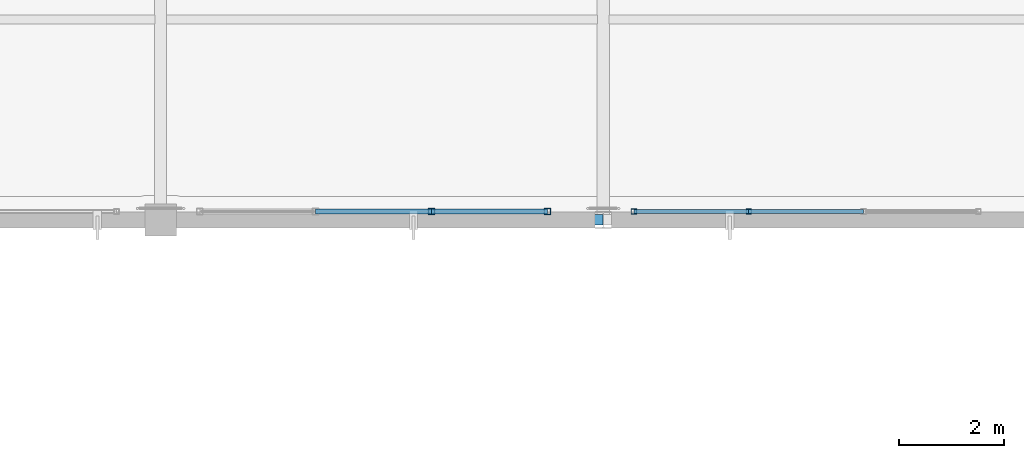
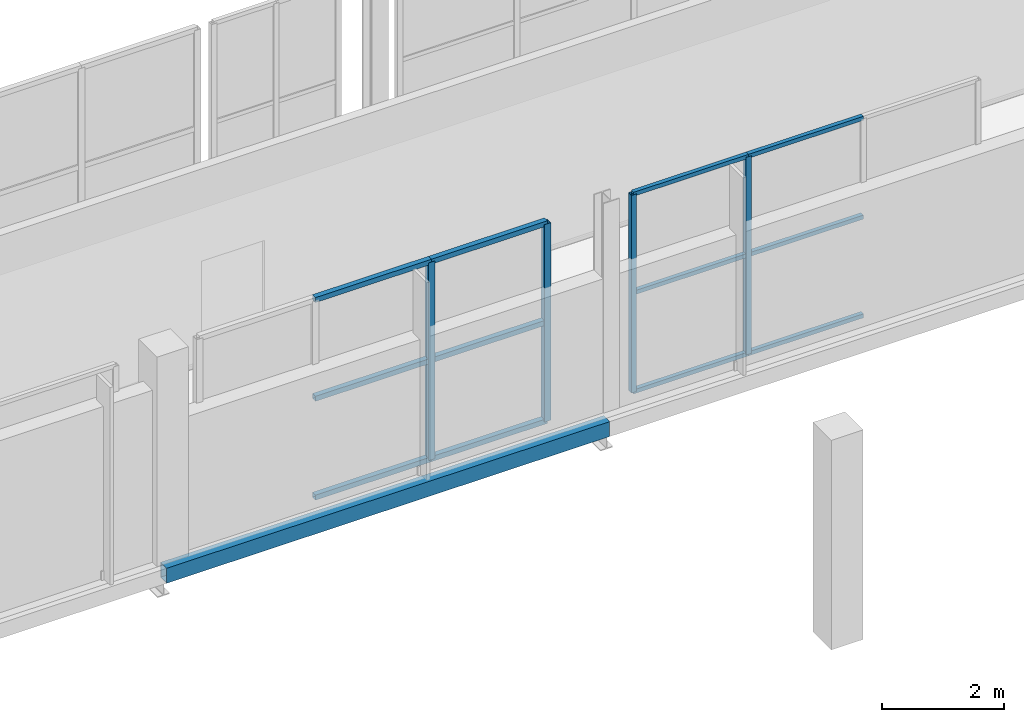
# One storey, part 47 of 151: 16 members, 1 beam, 2 elements without a shape of their own.
"""IFC4 building model written with IfcOpenShell, lengths in metres."""

from ifc_helpers import new_model, si_unit, direction, frame, origin, origin_2d, place, context, subcontext, project, spatial, hollow_rectangle, extrude, material, material_profile, profile_set, type_object, element, aggregate, save


model = new_model("IFC4")

# Units and contexts
model_context = context("Model", 3, precision=1e-05, world=origin(), true_north=direction((0.0, 1.0)))
body_context = subcontext(model_context, "Body", "Model", "MODEL_VIEW")
ifc_project = project(units=[si_unit("LENGTHUNIT", "METRE"), si_unit("AREAUNIT", "SQUARE_METRE"), si_unit("VOLUMEUNIT", "CUBIC_METRE"), si_unit("PLANEANGLEUNIT", "RADIAN"), si_unit("MASSUNIT", "GRAM", prefix="KILO")], contexts=[model_context])

# Site, building, storey
site_placement = place(None, origin())
site = spatial("IfcSite", under=ifc_project, at=site_placement, CompositionType="ELEMENT")
building_placement = place(site_placement, origin())
building = spatial("IfcBuilding", under=site, at=building_placement, Name="Zuvorla Pavilion Media Centre", CompositionType="ELEMENT")
storey_placement = place(building_placement, frame((0.0, 0.0, 13.800048828125)))
storey = spatial("IfcBuildingStorey", under=building, at=storey_placement, Name="L03", CompositionType="ELEMENT", Elevation=13.800048828125)

# Beam
ifc_material_1 = material(Name="Steel S355", Category="steel")
ifc_material_profile_1 = material_profile(ifc_material_1, hollow_rectangle(XDim=0.199951171875, YDim=0.300048828125, WallThickness=0.012451171875, at=origin_2d()), Name="RHS 300x200x12.5")
ifc_profile_set_1 = profile_set([ifc_material_profile_1], Name="Steel S355")
beam_type = type_object("IfcBeamType", Name="BM-SP-RHS300", PredefinedType="SPANDREL", material=ifc_profile_set_1)
beam_placement = place(storey_placement, frame((117.199951171875, 44.0, -0.407958984375), z_axis=(1.0, 0.0, 0.0), x_axis=(0.0, 1.0, 0.0)))
element("IfcBeam", 1, at=beam_placement, inside=storey, type_object=beam_type, Name="L03 spandrel SP01 1086", PredefinedType="SPANDREL", context=body_context, shape_type="SweptSolid", body=[
    extrude(hollow_rectangle(XDim=0.199951171875, YDim=0.300048828125, WallThickness=0.012451171875, at=origin_2d()), origin(), (0.0, 0.0, 1.0), 8.400146484375),
])

# Curtain wall, members
ifc_material_2 = material(Name="Unitised anodised aluminium and solar glass curtain wall", Category="aluminium")
curtain_wall_type_1 = type_object("IfcCurtainWallType", Name="CW-SYS-63", PredefinedType="USERDEFINED", material=ifc_material_2)
curtain_wall_1_placement = place(storey_placement, origin())
curtain_wall_1 = element("IfcCurtainWall", 2, at=curtain_wall_1_placement, inside=storey, type_object=curtain_wall_type_1, Name="L03 curtain wall CW63 144", ObjectType="CURTAIN WALL", PredefinedType="USERDEFINED")
ifc_material_3 = material(Name="Anodised aluminium 6063-T6", Category="aluminium")
ifc_material_profile_2 = material_profile(ifc_material_3, hollow_rectangle(XDim=0.10009765625, YDim=0.10009765625, WallThickness=0.00439453125, at=origin_2d()), Name="ALU MULL 100x100")
ifc_profile_set_2 = profile_set([ifc_material_profile_2], Name="Anodised aluminium 6063-T6")
member_type_1 = type_object("IfcMemberType", Name="CW-MULL-100", PredefinedType="MULLION", material=ifc_profile_set_2)
member_1_placement = place(storey_placement, frame((126.181884765625, 44.159912109375, 0.0), z_axis=(0.0, 0.0, 1.0), x_axis=(1.0, 0.0, 0.0)))
member_1 = element("IfcMember", 3, at=member_1_placement, type_object=member_type_1, Name="CW63 mullion 1", PredefinedType="MULLION", context=body_context, shape_type="SweptSolid", body=[
    extrude(hollow_rectangle(XDim=0.10009765625, YDim=0.10009765625, WallThickness=0.00439453125, at=origin_2d()), origin(), (0.0, 0.0, 1.0), 3.9599609375),
])
member_2_placement = place(storey_placement, frame((128.359619140625, 44.159912109375, 0.0), z_axis=(0.0, 0.0, 1.0), x_axis=(1.0, 0.0, 0.0)))
member_2 = element("IfcMember", 4, at=member_2_placement, type_object=member_type_1, Name="CW63 mullion 2", PredefinedType="MULLION", context=body_context, shape_type="SweptSolid", body=[
    extrude(hollow_rectangle(XDim=0.10009765625, YDim=0.10009765625, WallThickness=0.00439453125, at=origin_2d()), origin(), (0.0, 0.0, 1.0), 3.9599609375),
])

curtain_wall_type_2 = type_object("IfcCurtainWallType", Name="CW-SYS-73", PredefinedType="USERDEFINED", material=ifc_material_2)
curtain_wall_2_placement = place(storey_placement, origin())
curtain_wall_2 = element("IfcCurtainWall", 5, at=curtain_wall_2_placement, inside=storey, type_object=curtain_wall_type_2, Name="L03 curtain wall CW73 143", ObjectType="CURTAIN WALL", PredefinedType="USERDEFINED")
ifc_material_profile_3 = material_profile(ifc_material_3, hollow_rectangle(XDim=0.1201171875, YDim=0.1201171875, WallThickness=0.0048828125, at=origin_2d()), Name="ALU MULL 120x120")
ifc_profile_set_3 = profile_set([ifc_material_profile_3], Name="Anodised aluminium 6063-T6")
member_type_2 = type_object("IfcMemberType", Name="CW-MULL-120", PredefinedType="MULLION", material=ifc_profile_set_3)
member_3_placement = place(storey_placement, frame((122.341552734375, 44.159912109375, 0.0), z_axis=(0.0, 0.0, 1.0), x_axis=(1.0, 0.0, 0.0)))
member_3 = element("IfcMember", 6, at=member_3_placement, type_object=member_type_2, Name="CW73 mullion 3", PredefinedType="MULLION", context=body_context, shape_type="SweptSolid", body=[
    extrude(hollow_rectangle(XDim=0.1201171875, YDim=0.1201171875, WallThickness=0.0048828125, at=origin_2d()), origin(), (0.0, 0.0, 1.0), 3.9599609375),
])
member_4_placement = place(storey_placement, frame((124.5400390625, 44.159912109375, 0.0), z_axis=(0.0, 0.0, 1.0), x_axis=(1.0, 0.0, 0.0)))
member_4 = element("IfcMember", 7, at=member_4_placement, type_object=member_type_2, Name="CW73 mullion 4", PredefinedType="MULLION", context=body_context, shape_type="SweptSolid", body=[
    extrude(hollow_rectangle(XDim=0.1201171875, YDim=0.1201171875, WallThickness=0.0048828125, at=origin_2d()), origin(), (0.0, 0.0, 1.0), 3.9599609375),
])
ifc_material_profile_4 = material_profile(ifc_material_3, hollow_rectangle(XDim=0.10009765625, YDim=0.10009765625, WallThickness=0.00439453125, at=origin_2d()), Name="ALU TRAN 100x100")
ifc_profile_set_4 = profile_set([ifc_material_profile_4], Name="Anodised aluminium 6063-T6")
member_type_3 = type_object("IfcMemberType", Name="CW-TRAN-100", PredefinedType="USERDEFINED", material=ifc_profile_set_4)
member_5_placement = place(storey_placement, frame((120.142822265625, 44.159912109375, 0.0), z_axis=(1.0, 0.0, 0.0), x_axis=(0.0, 1.0, 0.0)))
member_5 = element("IfcMember", 8, at=member_5_placement, type_object=member_type_3, Name="CW73 transom 2.1", ObjectType="TRANSOM", PredefinedType="USERDEFINED", context=body_context, shape_type="SweptSolid", body=[
    extrude(hollow_rectangle(XDim=0.10009765625, YDim=0.10009765625, WallThickness=0.00439453125, at=origin_2d()), origin(), (0.0, 0.0, 1.0), 2.19873046875),
])
member_6_placement = place(storey_placement, frame((120.142822265625, 44.159912109375, 1.97998046875), z_axis=(1.0, 0.0, 0.0), x_axis=(0.0, 1.0, 0.0)))
member_6 = element("IfcMember", 9, at=member_6_placement, type_object=member_type_3, Name="CW73 transom 2.2", ObjectType="TRANSOM", PredefinedType="USERDEFINED", context=body_context, shape_type="SweptSolid", body=[
    extrude(hollow_rectangle(XDim=0.10009765625, YDim=0.10009765625, WallThickness=0.00439453125, at=origin_2d()), origin(), (0.0, 0.0, 1.0), 2.19873046875),
])
member_7_placement = place(storey_placement, frame((120.142822265625, 44.159912109375, 3.9599609375), z_axis=(1.0, 0.0, 0.0), x_axis=(0.0, 1.0, 0.0)))
member_7 = element("IfcMember", 10, at=member_7_placement, type_object=member_type_3, Name="CW73 transom 2.3", ObjectType="TRANSOM", PredefinedType="USERDEFINED", context=body_context, shape_type="SweptSolid", body=[
    extrude(hollow_rectangle(XDim=0.10009765625, YDim=0.10009765625, WallThickness=0.00439453125, at=origin_2d()), origin(), (0.0, 0.0, 1.0), 2.19873046875),
])
member_8_placement = place(storey_placement, frame((122.341552734375, 44.159912109375, 0.0), z_axis=(1.0, 0.0, 0.0), x_axis=(0.0, 1.0, 0.0)))
member_8 = element("IfcMember", 11, at=member_8_placement, type_object=member_type_3, Name="CW73 transom 3.1", ObjectType="TRANSOM", PredefinedType="USERDEFINED", context=body_context, shape_type="SweptSolid", body=[
    extrude(hollow_rectangle(XDim=0.10009765625, YDim=0.10009765625, WallThickness=0.00439453125, at=origin_2d()), origin(), (0.0, 0.0, 1.0), 2.198486328125),
])
member_9_placement = place(storey_placement, frame((122.341552734375, 44.159912109375, 1.97998046875), z_axis=(1.0, 0.0, 0.0), x_axis=(0.0, 1.0, 0.0)))
member_9 = element("IfcMember", 12, at=member_9_placement, type_object=member_type_3, Name="CW73 transom 3.2", ObjectType="TRANSOM", PredefinedType="USERDEFINED", context=body_context, shape_type="SweptSolid", body=[
    extrude(hollow_rectangle(XDim=0.10009765625, YDim=0.10009765625, WallThickness=0.00439453125, at=origin_2d()), origin(), (0.0, 0.0, 1.0), 2.198486328125),
])
member_10_placement = place(storey_placement, frame((122.341552734375, 44.159912109375, 3.9599609375), z_axis=(1.0, 0.0, 0.0), x_axis=(0.0, 1.0, 0.0)))
member_10 = element("IfcMember", 13, at=member_10_placement, type_object=member_type_3, Name="CW73 transom 3.3", ObjectType="TRANSOM", PredefinedType="USERDEFINED", context=body_context, shape_type="SweptSolid", body=[
    extrude(hollow_rectangle(XDim=0.10009765625, YDim=0.10009765625, WallThickness=0.00439453125, at=origin_2d()), origin(), (0.0, 0.0, 1.0), 2.198486328125),
])
aggregate(curtain_wall_2, [member_3, member_4, member_5, member_6, member_7, member_8, member_9, member_10])

# Member
ifc_material_profile_5 = material_profile(ifc_material_3, hollow_rectangle(XDim=0.080078125, YDim=0.080078125, WallThickness=0.00390625, at=origin_2d()), Name="ALU TRAN 80x80")
ifc_profile_set_5 = profile_set([ifc_material_profile_5], Name="Anodised aluminium 6063-T6")
member_type_4 = type_object("IfcMemberType", Name="CW-TRAN-80", PredefinedType="USERDEFINED", material=ifc_profile_set_5)
member_11_placement = place(storey_placement, frame((126.181884765625, 44.159912109375, 0.0), z_axis=(1.0, 0.0, 0.0), x_axis=(0.0, 1.0, 0.0)))
member_11 = element("IfcMember", 14, at=member_11_placement, type_object=member_type_4, Name="CW63 transom 1.1", ObjectType="TRANSOM", PredefinedType="USERDEFINED", context=body_context, shape_type="SweptSolid", body=[
    extrude(hollow_rectangle(XDim=0.080078125, YDim=0.080078125, WallThickness=0.00390625, at=origin_2d()), origin(), (0.0, 0.0, 1.0), 2.177734375),
])

member_12_placement = place(storey_placement, frame((126.181884765625, 44.159912109375, 1.97998046875), z_axis=(1.0, 0.0, 0.0), x_axis=(0.0, 1.0, 0.0)))
member_12 = element("IfcMember", 15, at=member_12_placement, type_object=member_type_4, Name="CW63 transom 1.2", ObjectType="TRANSOM", PredefinedType="USERDEFINED", context=body_context, shape_type="SweptSolid", body=[
    extrude(hollow_rectangle(XDim=0.080078125, YDim=0.080078125, WallThickness=0.00390625, at=origin_2d()), origin(), (0.0, 0.0, 1.0), 2.177734375),
])

member_13_placement = place(storey_placement, frame((126.181884765625, 44.159912109375, 3.9599609375), z_axis=(1.0, 0.0, 0.0), x_axis=(0.0, 1.0, 0.0)))
member_13 = element("IfcMember", 16, at=member_13_placement, type_object=member_type_4, Name="CW63 transom 1.3", ObjectType="TRANSOM", PredefinedType="USERDEFINED", context=body_context, shape_type="SweptSolid", body=[
    extrude(hollow_rectangle(XDim=0.080078125, YDim=0.080078125, WallThickness=0.00390625, at=origin_2d()), origin(), (0.0, 0.0, 1.0), 2.177734375),
])

member_14_placement = place(storey_placement, frame((128.359619140625, 44.159912109375, 0.0), z_axis=(1.0, 0.0, 0.0), x_axis=(0.0, 1.0, 0.0)))
member_14 = element("IfcMember", 17, at=member_14_placement, type_object=member_type_4, Name="CW63 transom 2.1", ObjectType="TRANSOM", PredefinedType="USERDEFINED", context=body_context, shape_type="SweptSolid", body=[
    extrude(hollow_rectangle(XDim=0.080078125, YDim=0.080078125, WallThickness=0.00390625, at=origin_2d()), origin(), (0.0, 0.0, 1.0), 2.177734375),
])

member_15_placement = place(storey_placement, frame((128.359619140625, 44.159912109375, 1.97998046875), z_axis=(1.0, 0.0, 0.0), x_axis=(0.0, 1.0, 0.0)))
member_15 = element("IfcMember", 18, at=member_15_placement, type_object=member_type_4, Name="CW63 transom 2.2", ObjectType="TRANSOM", PredefinedType="USERDEFINED", context=body_context, shape_type="SweptSolid", body=[
    extrude(hollow_rectangle(XDim=0.080078125, YDim=0.080078125, WallThickness=0.00390625, at=origin_2d()), origin(), (0.0, 0.0, 1.0), 2.177734375),
])

member_16_placement = place(storey_placement, frame((128.359619140625, 44.159912109375, 3.9599609375), z_axis=(1.0, 0.0, 0.0), x_axis=(0.0, 1.0, 0.0)))
member_16 = element("IfcMember", 19, at=member_16_placement, type_object=member_type_4, Name="CW63 transom 2.3", ObjectType="TRANSOM", PredefinedType="USERDEFINED", context=body_context, shape_type="SweptSolid", body=[
    extrude(hollow_rectangle(XDim=0.080078125, YDim=0.080078125, WallThickness=0.00390625, at=origin_2d()), origin(), (0.0, 0.0, 1.0), 2.177734375),
])

aggregate(curtain_wall_1, [member_1, member_2, member_11, member_12, member_13, member_14, member_15, member_16])

save(model, "model.ifc")
